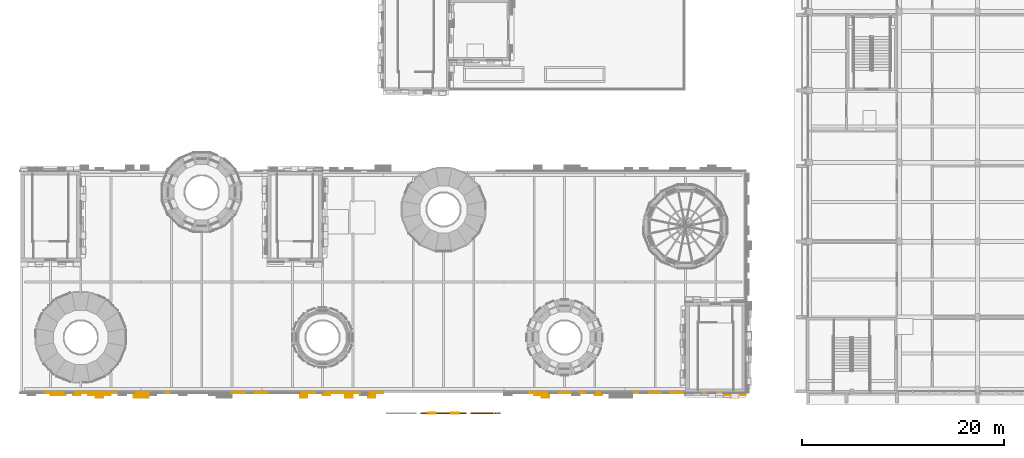
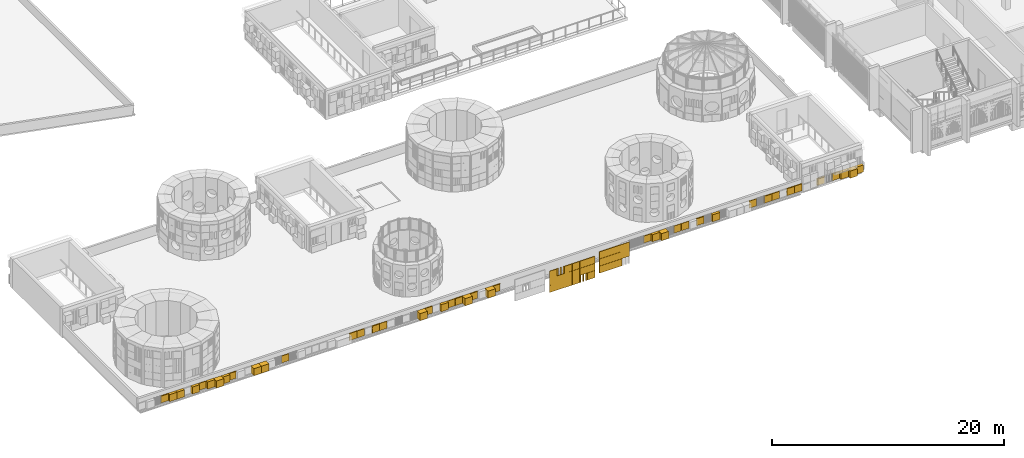
# One storey, part 74 of 98: 6 coverings.
"""IFC4 building model written with IfcOpenShell, lengths in metres."""

from ifc_helpers import new_model, si_unit, direction, frame, origin, origin_2d, place, context, subcontext, project, spatial, rectangle, extrude, material, layer, layer_set, type_object, element, save


model = new_model("IFC4")

# Units and contexts
model_context = context("Model", 3, precision=1e-05, world=origin(), true_north=direction((0.0, 1.0)))
body_context = subcontext(model_context, "Body", "Model", "MODEL_VIEW")
ifc_project = project(units=[si_unit("LENGTHUNIT", "METRE"), si_unit("AREAUNIT", "SQUARE_METRE"), si_unit("VOLUMEUNIT", "CUBIC_METRE"), si_unit("PLANEANGLEUNIT", "RADIAN"), si_unit("MASSUNIT", "GRAM", prefix="KILO")], contexts=[model_context])

# Site, building, storey
site_placement = place(None, origin())
site = spatial("IfcSite", under=ifc_project, at=site_placement, CompositionType="ELEMENT")
building_placement = place(site_placement, origin())
building = spatial("IfcBuilding", under=site, at=building_placement, Name="Sun Court Science Centre", CompositionType="ELEMENT")
storey_placement = place(building_placement, frame((0.0, 0.0, 15.75)))
storey = spatial("IfcBuildingStorey", under=building, at=storey_placement, Name="L03", CompositionType="ELEMENT", Elevation=15.75)

# Coverings
ifc_material_1 = material(Name="Red sandstone", Category="masonry")
ifc_layer_1 = layer(ifc_material_1, 0.06005859375)
ifc_layer_set_1 = layer_set([ifc_layer_1], Name="Red sandstone")
covering_type_1 = type_object("IfcCoveringType", Name="Red sandstone jali relief 750", PredefinedType="CLADDING", material=ifc_layer_set_1)
covering_1_placement = place(storey_placement, frame((0.0, 0.0, -15.75)))
element("IfcCovering", 1, at=covering_1_placement, inside=storey, type_object=covering_type_1, Name="Red sandstone jali relief portal-PORTAL-H L03", PredefinedType="CLADDING", context=body_context, shape_type="SweptSolid", body=[
    extrude(rectangle(XDim=0.139892578125, YDim=0.06005859375, at=origin_2d()), frame((43.425048828125, 3.969970703125, 15.455078125), z_axis=(0.0, 0.0, 1.0), x_axis=(-1.0, 0.0, 0.0)), (0.0, 0.0, 1.0), 0.739990234375),
    extrude(rectangle(XDim=0.139892578125, YDim=0.06005859375, at=origin_2d()), frame((43.125, 3.969970703125, 15.455078125), z_axis=(0.0, 0.0, 1.0), x_axis=(-1.0, 0.0, 0.0)), (0.0, 0.0, 1.0), 0.739990234375),
    extrude(rectangle(XDim=0.139892578125, YDim=0.06005859375, at=origin_2d()), frame((42.824951171875, 3.969970703125, 15.455078125), z_axis=(0.0, 0.0, 1.0), x_axis=(-1.0, 0.0, 0.0)), (0.0, 0.0, 1.0), 0.739990234375),
    extrude(rectangle(XDim=0.139892578125, YDim=0.06005859375, at=origin_2d()), frame((41.175048828125, 3.969970703125, 16.955078125), z_axis=(0.0, 0.0, 1.0), x_axis=(-1.0, 0.0, 0.0)), (0.0, 0.0, 1.0), 0.739990234375),
    extrude(rectangle(XDim=0.139892578125, YDim=0.06005859375, at=origin_2d()), frame((40.875, 3.969970703125, 16.955078125), z_axis=(0.0, 0.0, 1.0), x_axis=(-1.0, 0.0, 0.0)), (0.0, 0.0, 1.0), 0.739990234375),
    extrude(rectangle(XDim=0.139892578125, YDim=0.06005859375, at=origin_2d()), frame((40.574951171875, 3.969970703125, 16.955078125), z_axis=(0.0, 0.0, 1.0), x_axis=(-1.0, 0.0, 0.0)), (0.0, 0.0, 1.0), 0.739990234375),
])
ifc_material_2 = material(Name="Red sandstone", Category="masonry")
ifc_layer_2 = layer(ifc_material_2, 0.06005859375)
ifc_layer_set_2 = layer_set([ifc_layer_2], Name="Red sandstone")
covering_type_2 = type_object("IfcCoveringType", Name="Red sandstone wall cladding 750", PredefinedType="CLADDING", material=ifc_layer_set_2)
covering_2_placement = place(storey_placement, frame((0.0, 0.0, -15.75)))
element("IfcCovering", 2, at=covering_2_placement, inside=storey, type_object=covering_type_2, Name="Red sandstone wall cladding portal-PORTAL-R L03", PredefinedType="CLADDING", context=body_context, shape_type="SweptSolid", body=[
    extrude(rectangle(XDim=0.739990234375, YDim=0.06005859375, at=origin_2d()), frame((46.574951171875, 3.969970703125, 15.7548828125), z_axis=(0.0, 0.0, 1.0), x_axis=(-1.0, 0.0, 0.0)), (0.0, 0.0, 1.0), 0.739990234375),
    extrude(rectangle(XDim=0.739990234375, YDim=0.06005859375, at=origin_2d()), frame((45.824951171875, 3.969970703125, 15.7548828125), z_axis=(0.0, 0.0, 1.0), x_axis=(-1.0, 0.0, 0.0)), (0.0, 0.0, 1.0), 0.739990234375),
    extrude(rectangle(XDim=0.739990234375, YDim=0.06005859375, at=origin_2d()), frame((45.074951171875, 3.969970703125, 15.7548828125), z_axis=(0.0, 0.0, 1.0), x_axis=(-1.0, 0.0, 0.0)), (0.0, 0.0, 1.0), 0.739990234375),
    extrude(rectangle(XDim=0.739990234375, YDim=0.06005859375, at=origin_2d()), frame((47.324951171875, 3.969970703125, 16.5048828125), z_axis=(0.0, 0.0, 1.0), x_axis=(-1.0, 0.0, 0.0)), (0.0, 0.0, 1.0), 0.739990234375),
    extrude(rectangle(XDim=0.739990234375, YDim=0.06005859375, at=origin_2d()), frame((46.574951171875, 3.969970703125, 16.5048828125), z_axis=(0.0, 0.0, 1.0), x_axis=(-1.0, 0.0, 0.0)), (0.0, 0.0, 1.0), 0.739990234375),
    extrude(rectangle(XDim=0.739990234375, YDim=0.06005859375, at=origin_2d()), frame((45.824951171875, 3.969970703125, 16.5048828125), z_axis=(0.0, 0.0, 1.0), x_axis=(-1.0, 0.0, 0.0)), (0.0, 0.0, 1.0), 0.739990234375),
    extrude(rectangle(XDim=0.739990234375, YDim=0.06005859375, at=origin_2d()), frame((45.074951171875, 3.969970703125, 16.5048828125), z_axis=(0.0, 0.0, 1.0), x_axis=(-1.0, 0.0, 0.0)), (0.0, 0.0, 1.0), 0.739990234375),
    extrude(rectangle(XDim=0.739990234375, YDim=0.06005859375, at=origin_2d()), frame((47.324951171875, 3.969970703125, 17.2548828125), z_axis=(0.0, 0.0, 1.0), x_axis=(-1.0, 0.0, 0.0)), (0.0, 0.0, 1.0), 0.739990234375),
    extrude(rectangle(XDim=0.739990234375, YDim=0.06005859375, at=origin_2d()), frame((46.574951171875, 3.969970703125, 17.2548828125), z_axis=(0.0, 0.0, 1.0), x_axis=(-1.0, 0.0, 0.0)), (0.0, 0.0, 1.0), 0.739990234375),
    extrude(rectangle(XDim=0.739990234375, YDim=0.06005859375, at=origin_2d()), frame((45.824951171875, 3.969970703125, 17.2548828125), z_axis=(0.0, 0.0, 1.0), x_axis=(-1.0, 0.0, 0.0)), (0.0, 0.0, 1.0), 0.739990234375),
    extrude(rectangle(XDim=0.739990234375, YDim=0.06005859375, at=origin_2d()), frame((45.074951171875, 3.969970703125, 17.2548828125), z_axis=(0.0, 0.0, 1.0), x_axis=(-1.0, 0.0, 0.0)), (0.0, 0.0, 1.0), 0.739990234375),
])
covering_3_placement = place(storey_placement, frame((0.0, 0.0, -15.75)))
element("IfcCovering", 3, at=covering_3_placement, inside=storey, type_object=covering_type_2, Name="Red sandstone wall cladding portal-PORTAL-H L03", PredefinedType="CLADDING", context=body_context, shape_type="SweptSolid", body=[
    extrude(rectangle(XDim=0.739990234375, YDim=0.06005859375, at=origin_2d()), frame((43.875, 3.969970703125, 15.455078125), z_axis=(0.0, 0.0, 1.0), x_axis=(-1.0, 0.0, 0.0)), (0.0, 0.0, 1.0), 0.739990234375),
    extrude(rectangle(XDim=0.739990234375, YDim=0.06005859375, at=origin_2d()), frame((42.375, 3.969970703125, 15.455078125), z_axis=(0.0, 0.0, 1.0), x_axis=(-1.0, 0.0, 0.0)), (0.0, 0.0, 1.0), 0.739990234375),
    extrude(rectangle(XDim=0.739990234375, YDim=0.06005859375, at=origin_2d()), frame((41.625, 3.969970703125, 15.455078125), z_axis=(0.0, 0.0, 1.0), x_axis=(-1.0, 0.0, 0.0)), (0.0, 0.0, 1.0), 0.739990234375),
    extrude(rectangle(XDim=0.739990234375, YDim=0.06005859375, at=origin_2d()), frame((40.875, 3.969970703125, 15.455078125), z_axis=(0.0, 0.0, 1.0), x_axis=(-1.0, 0.0, 0.0)), (0.0, 0.0, 1.0), 0.739990234375),
    extrude(rectangle(XDim=0.739990234375, YDim=0.06005859375, at=origin_2d()), frame((40.125, 3.969970703125, 15.455078125), z_axis=(0.0, 0.0, 1.0), x_axis=(-1.0, 0.0, 0.0)), (0.0, 0.0, 1.0), 0.739990234375),
    extrude(rectangle(XDim=0.739990234375, YDim=0.06005859375, at=origin_2d()), frame((43.875, 3.969970703125, 16.205078125), z_axis=(0.0, 0.0, 1.0), x_axis=(-1.0, 0.0, 0.0)), (0.0, 0.0, 1.0), 0.739990234375),
    extrude(rectangle(XDim=0.739990234375, YDim=0.06005859375, at=origin_2d()), frame((43.125, 3.969970703125, 16.205078125), z_axis=(0.0, 0.0, 1.0), x_axis=(-1.0, 0.0, 0.0)), (0.0, 0.0, 1.0), 0.739990234375),
    extrude(rectangle(XDim=0.739990234375, YDim=0.06005859375, at=origin_2d()), frame((42.375, 3.969970703125, 16.205078125), z_axis=(0.0, 0.0, 1.0), x_axis=(-1.0, 0.0, 0.0)), (0.0, 0.0, 1.0), 0.739990234375),
    extrude(rectangle(XDim=0.739990234375, YDim=0.06005859375, at=origin_2d()), frame((41.625, 3.969970703125, 16.205078125), z_axis=(0.0, 0.0, 1.0), x_axis=(-1.0, 0.0, 0.0)), (0.0, 0.0, 1.0), 0.739990234375),
    extrude(rectangle(XDim=0.739990234375, YDim=0.06005859375, at=origin_2d()), frame((40.875, 3.969970703125, 16.205078125), z_axis=(0.0, 0.0, 1.0), x_axis=(-1.0, 0.0, 0.0)), (0.0, 0.0, 1.0), 0.739990234375),
    extrude(rectangle(XDim=0.739990234375, YDim=0.06005859375, at=origin_2d()), frame((40.125, 3.969970703125, 16.205078125), z_axis=(0.0, 0.0, 1.0), x_axis=(-1.0, 0.0, 0.0)), (0.0, 0.0, 1.0), 0.739990234375),
    extrude(rectangle(XDim=0.739990234375, YDim=0.06005859375, at=origin_2d()), frame((43.875, 3.969970703125, 16.955078125), z_axis=(0.0, 0.0, 1.0), x_axis=(-1.0, 0.0, 0.0)), (0.0, 0.0, 1.0), 0.739990234375),
    extrude(rectangle(XDim=0.739990234375, YDim=0.06005859375, at=origin_2d()), frame((43.125, 3.969970703125, 16.955078125), z_axis=(0.0, 0.0, 1.0), x_axis=(-1.0, 0.0, 0.0)), (0.0, 0.0, 1.0), 0.739990234375),
    extrude(rectangle(XDim=0.739990234375, YDim=0.06005859375, at=origin_2d()), frame((42.375, 3.969970703125, 16.955078125), z_axis=(0.0, 0.0, 1.0), x_axis=(-1.0, 0.0, 0.0)), (0.0, 0.0, 1.0), 0.739990234375),
    extrude(rectangle(XDim=0.739990234375, YDim=0.06005859375, at=origin_2d()), frame((41.625, 3.969970703125, 16.955078125), z_axis=(0.0, 0.0, 1.0), x_axis=(-1.0, 0.0, 0.0)), (0.0, 0.0, 1.0), 0.739990234375),
    extrude(rectangle(XDim=0.739990234375, YDim=0.06005859375, at=origin_2d()), frame((40.125, 3.969970703125, 16.955078125), z_axis=(0.0, 0.0, 1.0), x_axis=(-1.0, 0.0, 0.0)), (0.0, 0.0, 1.0), 0.739990234375),
])
ifc_material_3 = material(Name="Terracotta shade 1", Category="masonry")
ifc_layer_3 = layer(ifc_material_3, 0.06005859375)
ifc_layer_set_3 = layer_set([ifc_layer_3], Name="Terracotta shade 1")
covering_type_3 = type_object("IfcCoveringType", Name="Terracotta pixel panel shade 1", PredefinedType="CLADDING", material=ifc_layer_set_3)
covering_4_placement = place(storey_placement, frame((0.0, 0.0, -15.75)))
element("IfcCovering", 4, at=covering_4_placement, inside=storey, type_object=covering_type_3, Name="Terracotta pixel cladding shade 1 south face L03", PredefinedType="CLADDING", context=body_context, shape_type="SweptSolid", body=[
    extrude(rectangle(XDim=0.739990234375, YDim=0.510009765625, at=origin_2d()), frame((70.875, 5.7451171875, 15.7548828125), z_axis=(0.0, 0.0, 1.0), x_axis=(-1.0, 0.0, 0.0)), (0.0, 0.0, 1.0), 0.739990234375),
    extrude(rectangle(XDim=0.739990234375, YDim=0.06005859375, at=origin_2d()), frame((63.375, 5.969970703125, 15.7548828125), z_axis=(0.0, 0.0, 1.0), x_axis=(-1.0, 0.0, 0.0)), (0.0, 0.0, 1.0), 0.739990234375),
    extrude(rectangle(XDim=0.739990234375, YDim=0.06005859375, at=origin_2d()), frame((61.125, 5.969970703125, 15.7548828125), z_axis=(0.0, 0.0, 1.0), x_axis=(-1.0, 0.0, 0.0)), (0.0, 0.0, 1.0), 0.739990234375),
    extrude(rectangle(XDim=0.739990234375, YDim=0.260009765625, at=origin_2d()), frame((57.375, 5.8701171875, 15.7548828125), z_axis=(0.0, 0.0, 1.0), x_axis=(-1.0, 0.0, 0.0)), (0.0, 0.0, 1.0), 0.739990234375),
    extrude(rectangle(XDim=0.739990234375, YDim=0.06005859375, at=origin_2d()), frame((54.375, 5.969970703125, 15.7548828125), z_axis=(0.0, 0.0, 1.0), x_axis=(-1.0, 0.0, 0.0)), (0.0, 0.0, 1.0), 0.739990234375),
    extrude(rectangle(XDim=0.739990234375, YDim=0.06005859375, at=origin_2d()), frame((53.625, 5.969970703125, 15.7548828125), z_axis=(0.0, 0.0, 1.0), x_axis=(-1.0, 0.0, 0.0)), (0.0, 0.0, 1.0), 0.739990234375),
    extrude(rectangle(XDim=0.739990234375, YDim=0.06005859375, at=origin_2d()), frame((50.625, 5.969970703125, 15.7548828125), z_axis=(0.0, 0.0, 1.0), x_axis=(-1.0, 0.0, 0.0)), (0.0, 0.0, 1.0), 0.739990234375),
    extrude(rectangle(XDim=0.739990234375, YDim=0.510009765625, at=origin_2d()), frame((34.875, 5.7451171875, 15.7548828125), z_axis=(0.0, 0.0, 1.0), x_axis=(-1.0, 0.0, 0.0)), (0.0, 0.0, 1.0), 0.739990234375),
    extrude(rectangle(XDim=0.739990234375, YDim=0.06005859375, at=origin_2d()), frame((31.125, 5.969970703125, 15.7548828125), z_axis=(0.0, 0.0, 1.0), x_axis=(-1.0, 0.0, 0.0)), (0.0, 0.0, 1.0), 0.739990234375),
    extrude(rectangle(XDim=0.739990234375, YDim=0.260009765625, at=origin_2d()), frame((30.375, 5.8701171875, 15.7548828125), z_axis=(0.0, 0.0, 1.0), x_axis=(-1.0, 0.0, 0.0)), (0.0, 0.0, 1.0), 0.739990234375),
    extrude(rectangle(XDim=0.739990234375, YDim=0.510009765625, at=origin_2d()), frame((28.125, 5.7451171875, 15.7548828125), z_axis=(0.0, 0.0, 1.0), x_axis=(-1.0, 0.0, 0.0)), (0.0, 0.0, 1.0), 0.739990234375),
    extrude(rectangle(XDim=0.739990234375, YDim=0.06005859375, at=origin_2d()), frame((24.375, 5.969970703125, 15.7548828125), z_axis=(0.0, 0.0, 1.0), x_axis=(-1.0, 0.0, 0.0)), (0.0, 0.0, 1.0), 0.739990234375),
    extrude(rectangle(XDim=0.739990234375, YDim=0.06005859375, at=origin_2d()), frame((22.125, 5.969970703125, 15.7548828125), z_axis=(0.0, 0.0, 1.0), x_axis=(-1.0, 0.0, 0.0)), (0.0, 0.0, 1.0), 0.739990234375),
    extrude(rectangle(XDim=0.739990234375, YDim=0.06005859375, at=origin_2d()), frame((14.625, 5.969970703125, 15.7548828125), z_axis=(0.0, 0.0, 1.0), x_axis=(-1.0, 0.0, 0.0)), (0.0, 0.0, 1.0), 0.739990234375),
    extrude(rectangle(XDim=0.739990234375, YDim=0.510009765625, at=origin_2d()), frame((11.625, 5.7451171875, 15.7548828125), z_axis=(0.0, 0.0, 1.0), x_axis=(-1.0, 0.0, 0.0)), (0.0, 0.0, 1.0), 0.739990234375),
    extrude(rectangle(XDim=0.739990234375, YDim=0.260009765625, at=origin_2d()), frame((8.625, 5.8701171875, 15.7548828125), z_axis=(0.0, 0.0, 1.0), x_axis=(-1.0, 0.0, 0.0)), (0.0, 0.0, 1.0), 0.739990234375),
    extrude(rectangle(XDim=0.739990234375, YDim=0.260009765625, at=origin_2d()), frame((7.125, 5.8701171875, 15.7548828125), z_axis=(0.0, 0.0, 1.0), x_axis=(-1.0, 0.0, 0.0)), (0.0, 0.0, 1.0), 0.739990234375),
    extrude(rectangle(XDim=0.739990234375, YDim=0.06005859375, at=origin_2d()), frame((6.375, 5.969970703125, 15.7548828125), z_axis=(0.0, 0.0, 1.0), x_axis=(-1.0, 0.0, 0.0)), (0.0, 0.0, 1.0), 0.739990234375),
    extrude(rectangle(XDim=0.739990234375, YDim=0.260009765625, at=origin_2d()), frame((5.625, 5.8701171875, 15.7548828125), z_axis=(0.0, 0.0, 1.0), x_axis=(-1.0, 0.0, 0.0)), (0.0, 0.0, 1.0), 0.739990234375),
    extrude(rectangle(XDim=0.739990234375, YDim=0.260009765625, at=origin_2d()), frame((3.375, 5.8701171875, 15.7548828125), z_axis=(0.0, 0.0, 1.0), x_axis=(-1.0, 0.0, 0.0)), (0.0, 0.0, 1.0), 0.739990234375),
])
ifc_material_4 = material(Name="Terracotta shade 3", Category="masonry")
ifc_layer_4 = layer(ifc_material_4, 0.06005859375)
ifc_layer_set_4 = layer_set([ifc_layer_4], Name="Terracotta shade 3")
covering_type_4 = type_object("IfcCoveringType", Name="Terracotta pixel panel shade 3", PredefinedType="CLADDING", material=ifc_layer_set_4)
covering_5_placement = place(storey_placement, frame((0.0, 0.0, -15.75)))
element("IfcCovering", 5, at=covering_5_placement, inside=storey, type_object=covering_type_4, Name="Terracotta pixel cladding shade 3 south face L03", PredefinedType="CLADDING", context=body_context, shape_type="SweptSolid", body=[
    extrude(rectangle(XDim=0.739990234375, YDim=0.260009765625, at=origin_2d()), frame((71.625, 5.8701171875, 15.7548828125), z_axis=(0.0, 0.0, 1.0), x_axis=(-1.0, 0.0, 0.0)), (0.0, 0.0, 1.0), 0.739990234375),
    extrude(rectangle(XDim=0.739990234375, YDim=0.06005859375, at=origin_2d()), frame((69.375, 5.969970703125, 15.7548828125), z_axis=(0.0, 0.0, 1.0), x_axis=(-1.0, 0.0, 0.0)), (0.0, 0.0, 1.0), 0.739990234375),
    extrude(rectangle(XDim=0.739990234375, YDim=0.06005859375, at=origin_2d()), frame((67.875, 5.969970703125, 15.7548828125), z_axis=(0.0, 0.0, 1.0), x_axis=(-1.0, 0.0, 0.0)), (0.0, 0.0, 1.0), 0.739990234375),
    extrude(rectangle(XDim=0.739990234375, YDim=0.06005859375, at=origin_2d()), frame((65.625, 5.969970703125, 15.7548828125), z_axis=(0.0, 0.0, 1.0), x_axis=(-1.0, 0.0, 0.0)), (0.0, 0.0, 1.0), 0.739990234375),
    extrude(rectangle(XDim=0.739990234375, YDim=0.06005859375, at=origin_2d()), frame((62.625, 5.969970703125, 15.7548828125), z_axis=(0.0, 0.0, 1.0), x_axis=(-1.0, 0.0, 0.0)), (0.0, 0.0, 1.0), 0.739990234375),
    extrude(rectangle(XDim=0.739990234375, YDim=0.510009765625, at=origin_2d()), frame((52.125, 5.7451171875, 15.7548828125), z_axis=(0.0, 0.0, 1.0), x_axis=(-1.0, 0.0, 0.0)), (0.0, 0.0, 1.0), 0.739990234375),
    extrude(rectangle(XDim=0.739990234375, YDim=0.06005859375, at=origin_2d()), frame((35.625, 5.969970703125, 15.7548828125), z_axis=(0.0, 0.0, 1.0), x_axis=(-1.0, 0.0, 0.0)), (0.0, 0.0, 1.0), 0.739990234375),
    extrude(rectangle(XDim=0.739990234375, YDim=0.510009765625, at=origin_2d()), frame((32.625, 5.7451171875, 15.7548828125), z_axis=(0.0, 0.0, 1.0), x_axis=(-1.0, 0.0, 0.0)), (0.0, 0.0, 1.0), 0.739990234375),
    extrude(rectangle(XDim=0.739990234375, YDim=0.06005859375, at=origin_2d()), frame((28.875, 5.969970703125, 15.7548828125), z_axis=(0.0, 0.0, 1.0), x_axis=(-1.0, 0.0, 0.0)), (0.0, 0.0, 1.0), 0.739990234375),
    extrude(rectangle(XDim=0.739990234375, YDim=0.510009765625, at=origin_2d()), frame((12.375, 5.7451171875, 15.7548828125), z_axis=(0.0, 0.0, 1.0), x_axis=(-1.0, 0.0, 0.0)), (0.0, 0.0, 1.0), 0.739990234375),
    extrude(rectangle(XDim=0.739990234375, YDim=0.06005859375, at=origin_2d()), frame((9.375, 5.969970703125, 15.7548828125), z_axis=(0.0, 0.0, 1.0), x_axis=(-1.0, 0.0, 0.0)), (0.0, 0.0, 1.0), 0.739990234375),
    extrude(rectangle(XDim=0.739990234375, YDim=0.510009765625, at=origin_2d()), frame((7.875, 5.7451171875, 15.7548828125), z_axis=(0.0, 0.0, 1.0), x_axis=(-1.0, 0.0, 0.0)), (0.0, 0.0, 1.0), 0.739990234375),
    extrude(rectangle(XDim=0.739990234375, YDim=0.260009765625, at=origin_2d()), frame((4.125, 5.8701171875, 15.7548828125), z_axis=(0.0, 0.0, 1.0), x_axis=(-1.0, 0.0, 0.0)), (0.0, 0.0, 1.0), 0.739990234375),
    extrude(rectangle(XDim=0.739990234375, YDim=0.06005859375, at=origin_2d()), frame((2.625, 5.969970703125, 15.7548828125), z_axis=(0.0, 0.0, 1.0), x_axis=(-1.0, 0.0, 0.0)), (0.0, 0.0, 1.0), 0.739990234375),
])
ifc_material_5 = material(Name="Terracotta shade 5", Category="masonry")
ifc_layer_5 = layer(ifc_material_5, 0.06005859375)
ifc_layer_set_5 = layer_set([ifc_layer_5], Name="Terracotta shade 5")
covering_type_5 = type_object("IfcCoveringType", Name="Terracotta pixel panel shade 5", PredefinedType="CLADDING", material=ifc_layer_set_5)
covering_6_placement = place(storey_placement, frame((0.0, 0.0, -15.75)))
element("IfcCovering", 6, at=covering_6_placement, inside=storey, type_object=covering_type_5, Name="Terracotta pixel cladding shade 5 south face L03", PredefinedType="CLADDING", context=body_context, shape_type="SweptSolid", body=[
    extrude(rectangle(XDim=0.739990234375, YDim=0.260009765625, at=origin_2d()), frame((70.125, 5.8701171875, 15.7548828125), z_axis=(0.0, 0.0, 1.0), x_axis=(-1.0, 0.0, 0.0)), (0.0, 0.0, 1.0), 0.739990234375),
    extrude(rectangle(XDim=0.739990234375, YDim=0.06005859375, at=origin_2d()), frame((64.875, 5.969970703125, 15.7548828125), z_axis=(0.0, 0.0, 1.0), x_axis=(-1.0, 0.0, 0.0)), (0.0, 0.0, 1.0), 0.739990234375),
    extrude(rectangle(XDim=0.739990234375, YDim=0.06005859375, at=origin_2d()), frame((55.875, 5.969970703125, 15.7548828125), z_axis=(0.0, 0.0, 1.0), x_axis=(-1.0, 0.0, 0.0)), (0.0, 0.0, 1.0), 0.739990234375),
    extrude(rectangle(XDim=0.739990234375, YDim=0.260009765625, at=origin_2d()), frame((51.375, 5.8701171875, 15.7548828125), z_axis=(0.0, 0.0, 1.0), x_axis=(-1.0, 0.0, 0.0)), (0.0, 0.0, 1.0), 0.739990234375),
    extrude(rectangle(XDim=0.739990234375, YDim=0.06005859375, at=origin_2d()), frame((33.375, 5.969970703125, 15.7548828125), z_axis=(0.0, 0.0, 1.0), x_axis=(-1.0, 0.0, 0.0)), (0.0, 0.0, 1.0), 0.739990234375),
    extrude(rectangle(XDim=0.739990234375, YDim=0.06005859375, at=origin_2d()), frame((31.875, 5.969970703125, 15.7548828125), z_axis=(0.0, 0.0, 1.0), x_axis=(-1.0, 0.0, 0.0)), (0.0, 0.0, 1.0), 0.739990234375),
    extrude(rectangle(XDim=0.739990234375, YDim=0.06005859375, at=origin_2d()), frame((23.625, 5.969970703125, 15.7548828125), z_axis=(0.0, 0.0, 1.0), x_axis=(-1.0, 0.0, 0.0)), (0.0, 0.0, 1.0), 0.739990234375),
    extrude(rectangle(XDim=0.739990234375, YDim=0.06005859375, at=origin_2d()), frame((21.375, 5.969970703125, 15.7548828125), z_axis=(0.0, 0.0, 1.0), x_axis=(-1.0, 0.0, 0.0)), (0.0, 0.0, 1.0), 0.739990234375),
])

save(model, "model.ifc")
